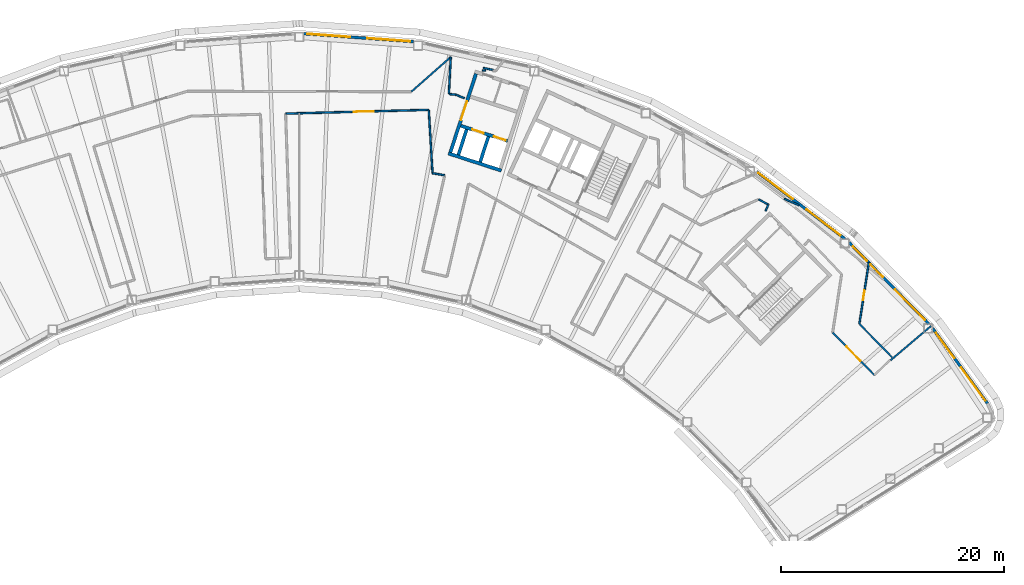
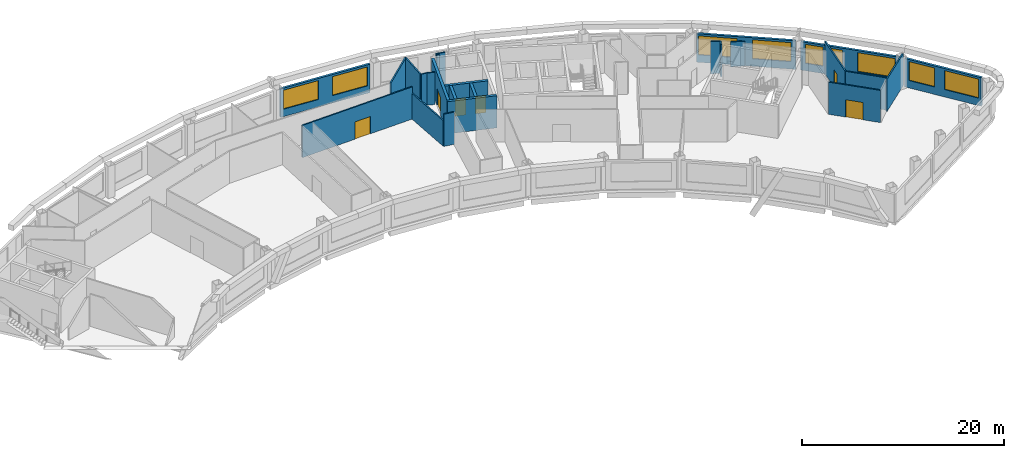
# One storey, part 9 of 13: 25 walls, 9 windows, 6 doors, 15 openings.
"""IFC4 building model written with IfcOpenShell, lengths in metres."""

from ifc_helpers import new_model, si_unit, direction, frame, frame_2d, origin, place, context, subcontext, project, spatial, rectangle, extrude, material, layer, layer_set, type_object, element, fill, save


model = new_model("IFC4")

# Units and contexts
model_context = context("Model", 3, precision=1e-05, world=origin(), true_north=direction((0.0, 1.0)))
body_context = subcontext(model_context, "Body", "Model", "MODEL_VIEW")
ifc_project = project(units=[si_unit("LENGTHUNIT", "METRE"), si_unit("AREAUNIT", "SQUARE_METRE"), si_unit("VOLUMEUNIT", "CUBIC_METRE"), si_unit("PLANEANGLEUNIT", "RADIAN"), si_unit("MASSUNIT", "GRAM", prefix="KILO")], contexts=[model_context])

# Site, building, storey
site_placement = place(None, origin())
site = spatial("IfcSite", under=ifc_project, at=site_placement, CompositionType="ELEMENT")
building_placement = place(site_placement, origin())
building = spatial("IfcBuilding", under=site, at=building_placement, Name="Tuul Gate Civic Tower", CompositionType="ELEMENT")
storey_placement = place(building_placement, frame((0.0, 0.0, 290.0)))
storey = spatial("IfcBuildingStorey", under=building, at=storey_placement, Name="Level 65", CompositionType="ELEMENT", Elevation=290.0)

# Wall
ifc_material_1 = material(Name="Gypsum board partition")
ifc_layer_1 = layer(ifc_material_1, 0.14990234375)
ifc_layer_set_1 = layer_set([ifc_layer_1], Name="Gypsum board partition")
wall_type_1 = type_object("IfcWallType", Name="Corridor wall P150", PredefinedType="PARTITIONING", material=ifc_layer_set_1)
wall_1_placement = place(storey_placement, frame((57.000732421875, -16.493408203125, 0.0), z_axis=(0.0, 0.0, 1.0), x_axis=(0.699996028696, -0.71414673549, 0.0)))
element("IfcWall", 1, at=wall_1_placement, inside=storey, type_object=wall_type_1, Name="p013", PredefinedType="PARTITIONING", context=body_context, shape_type="SweptSolid", body=[
    extrude(rectangle(XDim=4.209716796875, YDim=0.14990234375, at=frame_2d((2.10498046875, 0.0))), origin(), (0.0, 0.0, 1.0), 3.89990234375),
])

# Wall, opening, door
wall_2_placement = place(storey_placement, frame((56.994873046875, -16.4755859375, 0.0), z_axis=(0.0, 0.0, 1.0), x_axis=(0.152318138221, 0.988331515621, 0.0)))
wall_2 = element("IfcWall", 2, at=wall_2_placement, inside=storey, type_object=wall_type_1, Name="p014", PredefinedType="PARTITIONING", context=body_context, shape_type="SweptSolid", body=[
    extrude(rectangle(XDim=5.5537109375, YDim=0.14990234375, at=frame_2d((2.77685546875, 0.0))), origin(), (0.0, 0.0, 1.0), 3.89990234375),
])
opening_1_placement = place(wall_2_placement, frame((2.120361328125, 0.0, 0.0)))
opening_1 = element("IfcOpeningElement", 3, at=opening_1_placement, cuts=wall_2, Name="Opening X-D02", PredefinedType="OPENING", context=body_context, shape_type="SweptSolid", body=[
    extrude(rectangle(XDim=0.89990234375, YDim=2.10009765625, at=frame_2d((0.449951171875, 1.050048828125))), frame((0.0, 0.0849609375, 0.0), z_axis=(0.0, -1.0, 0.0), x_axis=(1.0, 0.0, 0.0)), (0.0, 0.0, 1.0), 0.169921875),
])
ifc_material_2 = material(Name="Timber door leaf", Category="wood")
door_type_1 = type_object("IfcDoorType", Name="Door D09", OperationType="NOTDEFINED", PredefinedType="DOOR", material=ifc_material_2)
door_1_placement = place(opening_1_placement, frame((0.89990234375, 0.0, 0.0), z_axis=(0.0, 0.0, 1.0), x_axis=(-1.0, 0.0, 0.0)))
door_1 = element("IfcDoor", 4, at=door_1_placement, inside=storey, type_object=door_type_1, Name="Door X-D02", OperationType="SINGLE_SWING_LEFT", OverallHeight=2.10009765625, OverallWidth=0.89990234375, PredefinedType="DOOR", context=body_context, shape_type="SweptSolid", body=[
    extrude(rectangle(XDim=0.89990234375, YDim=2.10009765625, at=frame_2d((0.449951171875, 1.050048828125))), frame((0.0, 0.02490234375, 0.0), z_axis=(0.0, -1.0, 0.0), x_axis=(1.0, 0.0, 0.0)), (0.0, 0.0, 1.0), 0.050048828125),
])
fill(opening_1, door_1)

# Walls
wall_3_placement = place(storey_placement, frame((59.793212890625, -19.738037109375, 0.0), z_axis=(0.0, 0.0, 1.0), x_axis=(0.762859034426, 0.646564840982, 0.0)))
element("IfcWall", 5, at=wall_3_placement, inside=storey, type_object=wall_type_1, Name="p016", PredefinedType="PARTITIONING", context=body_context, shape_type="SweptSolid", body=[
    extrude(rectangle(XDim=4.744384765625, YDim=0.14990234375, at=frame_2d((2.3720703125, 0.0))), origin(), (0.0, 0.0, 1.0), 3.89990234375),
])
wall_4_placement = place(storey_placement, frame((23.209716796875, 6.218994140625, 0.0), z_axis=(0.0, 0.0, 1.0), x_axis=(0.999935665258, -0.011343074737, 0.0)))
element("IfcWall", 6, at=wall_4_placement, inside=storey, type_object=wall_type_1, Name="p019", PredefinedType="PARTITIONING", context=body_context, shape_type="SweptSolid", body=[
    extrude(rectangle(XDim=0.27978515625, YDim=0.14990234375, at=frame_2d((0.139892578125, 0.0))), origin(), (0.0, 0.0, 1.0), 3.89990234375),
])
wall_5_placement = place(storey_placement, frame((23.286865234375, 6.456787109375, 0.0), z_axis=(0.0, 0.0, 1.0), x_axis=(0.97872607624, -0.205171313025, 0.0)))
element("IfcWall", 7, at=wall_5_placement, inside=storey, type_object=wall_type_1, Name="p020", PredefinedType="PARTITIONING", context=body_context, shape_type="SweptSolid", body=[
    extrude(rectangle(XDim=0.953125, YDim=0.14990234375, at=frame_2d((0.4765625, 0.0))), origin(), (0.0, 0.0, 1.0), 3.89990234375),
])
wall_6_placement = place(storey_placement, frame((20.83349609375, 4.05419921875, 0.0), z_axis=(0.0, 0.0, 1.0), x_axis=(0.928577985222, -0.371137340296, 0.0)))
element("IfcWall", 8, at=wall_6_placement, inside=storey, type_object=wall_type_1, Name="p021", PredefinedType="PARTITIONING", context=body_context, shape_type="SweptSolid", body=[
    extrude(rectangle(XDim=0.830810546875, YDim=0.14990234375, at=frame_2d((0.41552734375, 0.0))), origin(), (0.0, 0.0, 1.0), 3.89990234375),
])
wall_7_placement = place(storey_placement, frame((20.2255859375, 4.118408203125, 0.0), z_axis=(0.0, 0.0, 1.0), x_axis=(0.994483493788, -0.104893186543, 0.0)))
element("IfcWall", 9, at=wall_7_placement, inside=storey, type_object=wall_type_1, Name="p022", PredefinedType="PARTITIONING", context=body_context, shape_type="SweptSolid", body=[
    extrude(rectangle(XDim=0.60986328125, YDim=0.14990234375, at=frame_2d((0.304931640625, 0.0))), origin(), (0.0, 0.0, 1.0), 3.89990234375),
])
wall_8_placement = place(storey_placement, frame((20.207275390625, 4.139892578125, 0.0), z_axis=(0.0, 0.0, 1.0), x_axis=(0.051209082668, 0.998687954194, 0.0)))
element("IfcWall", 10, at=wall_8_placement, inside=storey, type_object=wall_type_1, Name="p023", PredefinedType="PARTITIONING", context=body_context, shape_type="SweptSolid", body=[
    extrude(rectangle(XDim=3.303955078125, YDim=0.14990234375, at=frame_2d((1.65185546875, 0.0))), origin(), (0.0, 0.0, 1.0), 3.89990234375),
])
wall_9_placement = place(storey_placement, frame((16.83935546875, 4.32421875, 0.0), z_axis=(0.0, 0.0, 1.0), x_axis=(0.750371229567, 0.661016654736, 0.0)))
element("IfcWall", 11, at=wall_9_placement, inside=storey, type_object=wall_type_1, Name="p024", PredefinedType="PARTITIONING", context=body_context, shape_type="SweptSolid", body=[
    extrude(rectangle(XDim=4.713134765625, YDim=0.14990234375, at=frame_2d((2.3564453125, 0.0))), origin(), (0.0, 0.0, 1.0), 3.89990234375),
])

# Wall, opening, door
wall_10_placement = place(storey_placement, frame((54.597900390625, -17.256591796875, 0.0), z_axis=(0.0, 0.0, 1.0), x_axis=(0.700040826875, -0.714102822224, 0.0)))
wall_10 = element("IfcWall", 12, at=wall_10_placement, inside=storey, type_object=wall_type_1, Name="p047", PredefinedType="PARTITIONING", context=body_context, shape_type="SweptSolid", body=[
    extrude(rectangle(XDim=5.347412109375, YDim=0.14990234375, at=frame_2d((2.673828125, 0.0))), origin(), (0.0, 0.0, 1.0), 3.89990234375),
])
opening_2_placement = place(wall_10_placement, frame((1.773681640625, 0.0, 0.0)))
opening_2 = element("IfcOpeningElement", 13, at=opening_2_placement, cuts=wall_10, Name="Opening X-D08", PredefinedType="OPENING", context=body_context, shape_type="SweptSolid", body=[
    extrude(rectangle(XDim=1.800048828125, YDim=2.10009765625, at=frame_2d((0.89990234375, 1.050048828125))), frame((0.0, 0.0849609375, 0.0), z_axis=(0.0, -1.0, 0.0), x_axis=(1.0, 0.0, 0.0)), (0.0, 0.0, 1.0), 0.169921875),
])
ifc_material_3 = material(Name="Timber door leaf, double", Category="wood")
door_type_2 = type_object("IfcDoorType", Name="Door D18", OperationType="DOUBLE_DOOR_SINGLE_SWING", PredefinedType="DOOR", material=ifc_material_3)
door_2_placement = place(opening_2_placement, frame((1.800048828125, 0.0, 0.0), z_axis=(0.0, 0.0, 1.0), x_axis=(-1.0, 0.0, 0.0)))
door_2 = element("IfcDoor", 14, at=door_2_placement, inside=storey, type_object=door_type_2, Name="Door X-D08", OperationType="DOUBLE_DOOR_SINGLE_SWING", OverallHeight=2.10009765625, OverallWidth=1.800048828125, PredefinedType="DOOR", context=body_context, shape_type="SweptSolid", body=[
    extrude(rectangle(XDim=1.800048828125, YDim=2.10009765625, at=frame_2d((0.900146484375, 1.050048828125))), frame((0.0, 0.02490234375, 0.0), z_axis=(0.0, -1.0, 0.0), x_axis=(1.0, 0.0, 0.0)), (0.0, 0.0, 1.0), 0.050048828125),
])
fill(opening_2, door_2)

wall_11_placement = place(storey_placement, frame((5.59375, 2.36328125, 0.0), z_axis=(0.0, 0.0, 1.0), x_axis=(0.99964816432, 0.026524471202, 0.0)))
wall_11 = element("IfcWall", 15, at=wall_11_placement, inside=storey, type_object=wall_type_1, Name="p059", PredefinedType="PARTITIONING", context=body_context, shape_type="SweptSolid", body=[
    extrude(rectangle(XDim=12.7939453125, YDim=0.14990234375, at=frame_2d((6.39697265625, 0.0))), origin(), (0.0, 0.0, 1.0), 3.89990234375),
])
opening_3_placement = place(wall_11_placement, frame((6.09423828125, 0.0, 0.0)))
opening_3 = element("IfcOpeningElement", 16, at=opening_3_placement, cuts=wall_11, Name="Opening X-D10", PredefinedType="OPENING", context=body_context, shape_type="SweptSolid", body=[
    extrude(rectangle(XDim=1.800048828125, YDim=2.10009765625, at=frame_2d((0.89990234375, 1.050048828125))), frame((0.0, 0.0849609375, 0.0), z_axis=(0.0, -1.0, 0.0), x_axis=(1.0, 0.0, 0.0)), (0.0, 0.0, 1.0), 0.169921875),
])
door_3_placement = place(opening_3_placement, frame((1.800048828125, 0.0, 0.0), z_axis=(0.0, 0.0, 1.0), x_axis=(-1.0, 0.0, 0.0)))
door_3 = element("IfcDoor", 17, at=door_3_placement, inside=storey, type_object=door_type_2, Name="Door X-D10", OperationType="DOUBLE_DOOR_SINGLE_SWING", OverallHeight=2.10009765625, OverallWidth=1.800048828125, PredefinedType="DOOR", context=body_context, shape_type="SweptSolid", body=[
    extrude(rectangle(XDim=1.800048828125, YDim=2.10009765625, at=frame_2d((0.900146484375, 1.050048828125))), frame((0.0, 0.02490234375, 0.0), z_axis=(0.0, -1.0, 0.0), x_axis=(1.0, 0.0, 0.0)), (0.0, 0.0, 1.0), 0.050048828125),
])
fill(opening_3, door_3)

# Walls
wall_12_placement = place(storey_placement, frame((18.739990234375, -2.978515625, 0.0), z_axis=(0.0, 0.0, 1.0), x_axis=(0.986082491654, -0.166256788294, 0.0)))
element("IfcWall", 18, at=wall_12_placement, inside=storey, type_object=wall_type_1, Name="p061", PredefinedType="PARTITIONING", context=body_context, shape_type="SweptSolid", body=[
    extrude(rectangle(XDim=1.086669921875, YDim=0.14990234375, at=frame_2d((0.54345703125, 0.0))), origin(), (0.0, 0.0, 1.0), 3.89990234375),
])
wall_13_placement = place(storey_placement, frame((48.58447265625, -6.36181640625, 0.0), z_axis=(0.0, 0.0, 1.0), x_axis=(0.402451637343, 0.915441248579, 0.0)))
element("IfcWall", 19, at=wall_13_placement, inside=storey, type_object=wall_type_1, Name="p101", PredefinedType="PARTITIONING", context=body_context, shape_type="SweptSolid", body=[
    extrude(rectangle(XDim=0.627197265625, YDim=0.14990234375, at=frame_2d((0.3134765625, 0.0))), origin(), (0.0, 0.0, 1.0), 3.89990234375),
])
wall_14_placement = place(storey_placement, frame((47.962890625, -5.3251953125, 0.0), z_axis=(0.0, 0.0, 1.0), x_axis=(0.883920008665, -0.467638127489, 0.0)))
element("IfcWall", 20, at=wall_14_placement, inside=storey, type_object=wall_type_1, Name="p102", PredefinedType="PARTITIONING", context=body_context, shape_type="SweptSolid", body=[
    extrude(rectangle(XDim=0.98876953125, YDim=0.14990234375, at=frame_2d((0.494384765625, 0.0))), origin(), (0.0, 0.0, 1.0), 3.89990234375),
])
ifc_material_4 = material(Name="Gypsum board partition")
ifc_layer_2 = layer(ifc_material_4, 0.14990234375)
ifc_layer_set_2 = layer_set([ifc_layer_2], Name="Gypsum board partition")
wall_type_2 = type_object("IfcWallType", Name="Corridor wall P150 3000 HIGH", PredefinedType="PARTITIONING", material=ifc_layer_set_2)
wall_15_placement = place(storey_placement, frame((50.258544921875, -5.27001953125, 0.0), z_axis=(0.0, 0.0, 1.0), x_axis=(0.915514728056, -0.402284454974, 0.0)))
element("IfcWall", 21, at=wall_15_placement, inside=storey, type_object=wall_type_2, Name="p002", PredefinedType="PARTITIONING", context=body_context, shape_type="SweptSolid", body=[
    extrude(rectangle(XDim=1.44140625, YDim=0.14990234375, at=frame_2d((0.720703125, 0.0))), origin(), (0.0, 0.0, 1.0), 3.0),
])
ifc_material_5 = material(Name="Gypsum board partition")
ifc_layer_3 = layer(ifc_material_5, 0.14990234375)
ifc_layer_set_3 = layer_set([ifc_layer_3], Name="Gypsum board partition")
wall_type_3 = type_object("IfcWallType", Name="Corridor wall P150 3100 HIGH", PredefinedType="PARTITIONING", material=ifc_layer_set_3)
wall_16_placement = place(storey_placement, frame((18.404296875, 2.683349609375, 0.0), z_axis=(0.0, 0.0, 1.0), x_axis=(0.059108134691, -0.99825158573, 0.0)))
element("IfcWall", 22, at=wall_16_placement, inside=storey, type_object=wall_type_3, Name="p060", PredefinedType="PARTITIONING", context=body_context, shape_type="SweptSolid", body=[
    extrude(rectangle(XDim=5.671142578125, YDim=0.14990234375, at=frame_2d((2.83544921875, 0.0))), origin(), (0.0, 0.0, 1.0), 3.10009765625),
])

# Wall, openings, windows
ifc_material_6 = material(Name="Precast concrete C40/50", Category="concrete")
ifc_layer_4 = layer(ifc_material_6, 0.25)
ifc_layer_set_4 = layer_set([ifc_layer_4], Name="Precast concrete C40/50")
wall_type_4 = type_object("IfcWallType", Name="External wall", PredefinedType="STANDARD", material=ifc_layer_set_4)
wall_17_placement = place(storey_placement, frame((68.47802734375, -23.61376953125, 0.0), z_axis=(0.0, 0.0, 1.0), x_axis=(-0.589827901293, 0.807528975862, 0.0)))
wall_17 = element("IfcWall", 23, at=wall_17_placement, inside=storey, type_object=wall_type_4, Name="External wall", PredefinedType="STANDARD", context=body_context, shape_type="SweptSolid", body=[
    extrude(rectangle(XDim=8.337890625, YDim=0.25, at=frame_2d((4.1689453125, 0.0))), origin(), (0.0, 0.0, 1.0), 3.449951171875),
])
opening_4_placement = place(wall_17_placement, frame((0.301025390625, 0.0, 0.89990234375)))
opening_4 = element("IfcOpeningElement", 24, at=opening_4_placement, cuts=wall_17, Name="Opening W21", PredefinedType="OPENING", context=body_context, shape_type="SweptSolid", body=[
    extrude(rectangle(XDim=3.699951171875, YDim=2.300048828125, at=frame_2d((1.85009765625, 1.14990234375))), frame((0.0, 0.135009765625, 0.0), z_axis=(0.0, -1.0, 0.0), x_axis=(1.0, 0.0, 0.0)), (0.0, 0.0, 1.0), 0.27001953125),
])
opening_5_placement = place(wall_17_placement, frame((5.052978515625, 0.0, 0.89990234375)))
opening_5 = element("IfcOpeningElement", 25, at=opening_5_placement, cuts=wall_17, Name="Opening W23", PredefinedType="OPENING", context=body_context, shape_type="SweptSolid", body=[
    extrude(rectangle(XDim=2.800048828125, YDim=2.300048828125, at=frame_2d((1.39990234375, 1.14990234375))), frame((0.0, 0.135009765625, 0.0), z_axis=(0.0, -1.0, 0.0), x_axis=(1.0, 0.0, 0.0)), (0.0, 0.0, 1.0), 0.27001953125),
])
ifc_material_7 = material(Name="Glass", Category="glass")
window_type_1 = type_object("IfcWindowType", Name="Window W21 3700 x 2300", PartitioningType="SINGLE_PANEL", PredefinedType="WINDOW", material=ifc_material_7)
window_1_placement = place(opening_4_placement, origin())
window_1 = element("IfcWindow", 26, at=window_1_placement, inside=storey, type_object=window_type_1, Name="Window", OverallHeight=2.300048828125, OverallWidth=3.699951171875, PartitioningType="SINGLE_PANEL", PredefinedType="WINDOW", context=body_context, shape_type="SweptSolid", body=[
    extrude(rectangle(XDim=3.699951171875, YDim=2.300048828125, at=frame_2d((1.85009765625, 1.14990234375))), frame((0.0, 0.030029296875, 0.0), z_axis=(0.0, -1.0, 0.0), x_axis=(1.0, 0.0, 0.0)), (0.0, 0.0, 1.0), 0.06005859375),
])
fill(opening_4, window_1)
ifc_material_8 = material(Name="Glass", Category="glass")
window_type_2 = type_object("IfcWindowType", Name="Window W23 2800 x 2300", PartitioningType="SINGLE_PANEL", PredefinedType="WINDOW", material=ifc_material_8)
window_2_placement = place(opening_5_placement, origin())
window_2 = element("IfcWindow", 27, at=window_2_placement, inside=storey, type_object=window_type_2, Name="Window", OverallHeight=2.300048828125, OverallWidth=2.800048828125, PartitioningType="SINGLE_PANEL", PredefinedType="WINDOW", context=body_context, shape_type="SweptSolid", body=[
    extrude(rectangle(XDim=2.800048828125, YDim=2.300048828125, at=frame_2d((1.39990234375, 1.14990234375))), frame((0.0, 0.030029296875, 0.0), z_axis=(0.0, -1.0, 0.0), x_axis=(1.0, 0.0, 0.0)), (0.0, 0.0, 1.0), 0.06005859375),
])
fill(opening_5, window_2)

wall_18_placement = place(storey_placement, frame((63.22314453125, -16.48388671875, 0.0), z_axis=(0.0, 0.0, 1.0), x_axis=(-0.700055609081, 0.714088330807, 0.0)))
wall_18 = element("IfcWall", 28, at=wall_18_placement, inside=storey, type_object=wall_type_4, Name="External wall", PredefinedType="STANDARD", context=body_context, shape_type="SweptSolid", body=[
    extrude(rectangle(XDim=10.1953125, YDim=0.25, at=frame_2d((5.09765625, 0.0))), origin(), (0.0, 0.0, 1.0), 3.449951171875),
])
opening_6_placement = place(wall_18_placement, frame((0.48681640625, 0.0, 0.89990234375)))
opening_6 = element("IfcOpeningElement", 29, at=opening_6_placement, cuts=wall_18, Name="Opening W22", PredefinedType="OPENING", context=body_context, shape_type="SweptSolid", body=[
    extrude(rectangle(XDim=3.85009765625, YDim=2.300048828125, at=frame_2d((1.925048828125, 1.14990234375))), frame((0.0, 0.135009765625, 0.0), z_axis=(0.0, -1.0, 0.0), x_axis=(1.0, 0.0, 0.0)), (0.0, 0.0, 1.0), 0.27001953125),
])
opening_7_placement = place(wall_18_placement, frame((5.8759765625, 0.0, 0.89990234375)))
opening_7 = element("IfcOpeningElement", 30, at=opening_7_placement, cuts=wall_18, Name="Opening W28", PredefinedType="OPENING", context=body_context, shape_type="SweptSolid", body=[
    extrude(rectangle(XDim=1.60009765625, YDim=2.300048828125, at=frame_2d((0.800048828125, 1.14990234375))), frame((0.0, 0.135009765625, 0.0), z_axis=(0.0, -1.0, 0.0), x_axis=(1.0, 0.0, 0.0)), (0.0, 0.0, 1.0), 0.27001953125),
])
opening_8_placement = place(wall_18_placement, frame((7.90087890625, 0.0, 0.89990234375)))
opening_8 = element("IfcOpeningElement", 31, at=opening_8_placement, cuts=wall_18, Name="Opening W29", PredefinedType="OPENING", context=body_context, shape_type="SweptSolid", body=[
    extrude(rectangle(XDim=1.800048828125, YDim=2.300048828125, at=frame_2d((0.89990234375, 1.14990234375))), frame((0.0, 0.135009765625, 0.0), z_axis=(0.0, -1.0, 0.0), x_axis=(1.0, 0.0, 0.0)), (0.0, 0.0, 1.0), 0.27001953125),
])
ifc_material_9 = material(Name="Glass", Category="glass")
window_type_3 = type_object("IfcWindowType", Name="Window 1600 x 2300", PartitioningType="SINGLE_PANEL", PredefinedType="WINDOW", material=ifc_material_9)
window_3_placement = place(opening_7_placement, origin())
window_3 = element("IfcWindow", 32, at=window_3_placement, inside=storey, type_object=window_type_3, Name="Window", OverallHeight=2.300048828125, OverallWidth=1.60009765625, PartitioningType="SINGLE_PANEL", PredefinedType="WINDOW", context=body_context, shape_type="SweptSolid", body=[
    extrude(rectangle(XDim=1.60009765625, YDim=2.300048828125, at=frame_2d((0.800048828125, 1.14990234375))), frame((0.0, 0.030029296875, 0.0), z_axis=(0.0, -1.0, 0.0), x_axis=(1.0, 0.0, 0.0)), (0.0, 0.0, 1.0), 0.06005859375),
])
fill(opening_7, window_3)
ifc_material_10 = material(Name="Glass", Category="glass")
window_type_4 = type_object("IfcWindowType", Name="Window 1800 x 2300", PartitioningType="SINGLE_PANEL", PredefinedType="WINDOW", material=ifc_material_10)
window_4_placement = place(opening_8_placement, origin())
window_4 = element("IfcWindow", 33, at=window_4_placement, inside=storey, type_object=window_type_4, Name="Window", OverallHeight=2.300048828125, OverallWidth=1.800048828125, PartitioningType="SINGLE_PANEL", PredefinedType="WINDOW", context=body_context, shape_type="SweptSolid", body=[
    extrude(rectangle(XDim=1.800048828125, YDim=2.300048828125, at=frame_2d((0.89990234375, 1.14990234375))), frame((0.0, 0.030029296875, 0.0), z_axis=(0.0, -1.0, 0.0), x_axis=(1.0, 0.0, 0.0)), (0.0, 0.0, 1.0), 0.06005859375),
])
fill(opening_8, window_4)
ifc_material_11 = material(Name="Glass", Category="glass")
window_type_5 = type_object("IfcWindowType", Name="Window W22 3850 x 2300", PartitioningType="SINGLE_PANEL", PredefinedType="WINDOW", material=ifc_material_11)
window_5_placement = place(opening_6_placement, origin())
window_5 = element("IfcWindow", 34, at=window_5_placement, inside=storey, type_object=window_type_5, Name="Window", OverallHeight=2.300048828125, OverallWidth=3.85009765625, PartitioningType="SINGLE_PANEL", PredefinedType="WINDOW", context=body_context, shape_type="SweptSolid", body=[
    extrude(rectangle(XDim=3.85009765625, YDim=2.300048828125, at=frame_2d((1.925048828125, 1.14990234375))), frame((0.0, 0.030029296875, 0.0), z_axis=(0.0, -1.0, 0.0), x_axis=(1.0, 0.0, 0.0)), (0.0, 0.0, 1.0), 0.06005859375),
])
fill(opening_6, window_5)

wall_19_placement = place(storey_placement, frame((55.6962890625, -8.85888671875, 0.0), z_axis=(0.0, 0.0, 1.0), x_axis=(-0.795618728328, 0.605797688287, 0.0)))
wall_19 = element("IfcWall", 35, at=wall_19_placement, inside=storey, type_object=wall_type_4, Name="External wall", PredefinedType="STANDARD", context=body_context, shape_type="SweptSolid", body=[
    extrude(rectangle(XDim=9.91748046875, YDim=0.25, at=frame_2d((4.958740234375, 0.0))), origin(), (0.0, 0.0, 1.0), 3.449951171875),
])
opening_9_placement = place(wall_19_placement, frame((0.494140625, 0.0, 0.89990234375)))
opening_9 = element("IfcOpeningElement", 36, at=opening_9_placement, cuts=wall_19, Name="Opening W22", PredefinedType="OPENING", context=body_context, shape_type="SweptSolid", body=[
    extrude(rectangle(XDim=3.85009765625, YDim=2.300048828125, at=frame_2d((1.925048828125, 1.14990234375))), frame((0.0, 0.135009765625, 0.0), z_axis=(0.0, -1.0, 0.0), x_axis=(1.0, 0.0, 0.0)), (0.0, 0.0, 1.0), 0.27001953125),
])
opening_10_placement = place(wall_19_placement, frame((5.865478515625, 0.0, 0.89990234375)))
opening_10 = element("IfcOpeningElement", 37, at=opening_10_placement, cuts=wall_19, Name="Opening W22", PredefinedType="OPENING", context=body_context, shape_type="SweptSolid", body=[
    extrude(rectangle(XDim=3.85009765625, YDim=2.300048828125, at=frame_2d((1.925048828125, 1.14990234375))), frame((0.0, 0.135009765625, 0.0), z_axis=(0.0, -1.0, 0.0), x_axis=(1.0, 0.0, 0.0)), (0.0, 0.0, 1.0), 0.27001953125),
])
window_6_placement = place(opening_9_placement, origin())
window_6 = element("IfcWindow", 38, at=window_6_placement, inside=storey, type_object=window_type_5, Name="Window", OverallHeight=2.300048828125, OverallWidth=3.85009765625, PartitioningType="SINGLE_PANEL", PredefinedType="WINDOW", context=body_context, shape_type="SweptSolid", body=[
    extrude(rectangle(XDim=3.85009765625, YDim=2.300048828125, at=frame_2d((1.925048828125, 1.14990234375))), frame((0.0, 0.030029296875, 0.0), z_axis=(0.0, -1.0, 0.0), x_axis=(1.0, 0.0, 0.0)), (0.0, 0.0, 1.0), 0.06005859375),
])
fill(opening_9, window_6)
window_7_placement = place(opening_10_placement, origin())
window_7 = element("IfcWindow", 39, at=window_7_placement, inside=storey, type_object=window_type_5, Name="Window", OverallHeight=2.300048828125, OverallWidth=3.85009765625, PartitioningType="SINGLE_PANEL", PredefinedType="WINDOW", context=body_context, shape_type="SweptSolid", body=[
    extrude(rectangle(XDim=3.85009765625, YDim=2.300048828125, at=frame_2d((1.925048828125, 1.14990234375))), frame((0.0, 0.030029296875, 0.0), z_axis=(0.0, -1.0, 0.0), x_axis=(1.0, 0.0, 0.0)), (0.0, 0.0, 1.0), 0.06005859375),
])
fill(opening_10, window_7)

wall_20_placement = place(storey_placement, frame((17.0380859375, 8.8154296875, 0.0), z_axis=(0.0, 0.0, 1.0), x_axis=(-0.997387687721, 0.072234343517, 0.0)))
wall_20 = element("IfcWall", 40, at=wall_20_placement, inside=storey, type_object=wall_type_4, Name="External wall", PredefinedType="STANDARD", context=body_context, shape_type="SweptSolid", body=[
    extrude(rectangle(XDim=9.8759765625, YDim=0.25, at=frame_2d((4.93798828125, 0.0))), origin(), (0.0, 0.0, 1.0), 3.449951171875),
])
opening_11_placement = place(wall_20_placement, frame((0.3037109375, 0.0, 0.89990234375)))
opening_11 = element("IfcOpeningElement", 41, at=opening_11_placement, cuts=wall_20, Name="Opening W22", PredefinedType="OPENING", context=body_context, shape_type="SweptSolid", body=[
    extrude(rectangle(XDim=3.85009765625, YDim=2.300048828125, at=frame_2d((1.925048828125, 1.14990234375))), frame((0.0, 0.135009765625, 0.0), z_axis=(0.0, -1.0, 0.0), x_axis=(1.0, 0.0, 0.0)), (0.0, 0.0, 1.0), 0.27001953125),
])
opening_12_placement = place(wall_20_placement, frame((5.675048828125, 0.0, 0.89990234375)))
opening_12 = element("IfcOpeningElement", 42, at=opening_12_placement, cuts=wall_20, Name="Opening W22", PredefinedType="OPENING", context=body_context, shape_type="SweptSolid", body=[
    extrude(rectangle(XDim=3.85009765625, YDim=2.300048828125, at=frame_2d((1.925048828125, 1.14990234375))), frame((0.0, 0.135009765625, 0.0), z_axis=(0.0, -1.0, 0.0), x_axis=(1.0, 0.0, 0.0)), (0.0, 0.0, 1.0), 0.27001953125),
])
window_8_placement = place(opening_11_placement, origin())
window_8 = element("IfcWindow", 43, at=window_8_placement, inside=storey, type_object=window_type_5, Name="Window", OverallHeight=2.300048828125, OverallWidth=3.85009765625, PartitioningType="SINGLE_PANEL", PredefinedType="WINDOW", context=body_context, shape_type="SweptSolid", body=[
    extrude(rectangle(XDim=3.85009765625, YDim=2.300048828125, at=frame_2d((1.925048828125, 1.14990234375))), frame((0.0, 0.030029296875, 0.0), z_axis=(0.0, -1.0, 0.0), x_axis=(1.0, 0.0, 0.0)), (0.0, 0.0, 1.0), 0.06005859375),
])
fill(opening_11, window_8)
window_9_placement = place(opening_12_placement, origin())
window_9 = element("IfcWindow", 44, at=window_9_placement, inside=storey, type_object=window_type_5, Name="Window", OverallHeight=2.300048828125, OverallWidth=3.85009765625, PartitioningType="SINGLE_PANEL", PredefinedType="WINDOW", context=body_context, shape_type="SweptSolid", body=[
    extrude(rectangle(XDim=3.85009765625, YDim=2.300048828125, at=frame_2d((1.925048828125, 1.14990234375))), frame((0.0, 0.030029296875, 0.0), z_axis=(0.0, -1.0, 0.0), x_axis=(1.0, 0.0, 0.0)), (0.0, 0.0, 1.0), 0.06005859375),
])
fill(opening_12, window_9)

# Wall
ifc_material_12 = material(Name="Concrete C40/50", Category="concrete")
ifc_layer_5 = layer(ifc_material_12, 0.300048828125)
ifc_layer_set_5 = layer_set([ifc_layer_5], Name="Concrete C40/50")
wall_type_5 = type_object("IfcWallType", Name="Lift shaft wall C40/50", PredefinedType="STANDARD", material=ifc_layer_set_5)
wall_21_placement = place(storey_placement, frame((24.911376953125, -2.746337890625, 0.0), z_axis=(0.0, 0.0, 1.0), x_axis=(-0.951067792613, 0.308982287281, 0.0)))
element("IfcWall", 45, at=wall_21_placement, inside=storey, type_object=wall_type_5, Name="Shaft wall", PredefinedType="STANDARD", context=body_context, shape_type="SweptSolid", body=[
    extrude(rectangle(XDim=5.0, YDim=0.300048828125, at=frame_2d((2.5, 0.0))), origin(), (0.0, 0.0, 1.0), 3.89990234375),
])

# Wall, openings, doors
wall_22_placement = place(storey_placement, frame((25.460693359375, -0.0859375, 0.0), z_axis=(0.0, 0.0, 1.0), x_axis=(-0.951063829732, 0.308994485023, 0.0)))
wall_22 = element("IfcWall", 46, at=wall_22_placement, inside=storey, type_object=wall_type_5, Name="Shaft wall", PredefinedType="STANDARD", context=body_context, shape_type="SweptSolid", body=[
    extrude(rectangle(XDim=4.400146484375, YDim=0.300048828125, at=frame_2d((2.2001953125, 0.0))), origin(), (0.0, 0.0, 1.0), 3.89990234375),
])
opening_13_placement = place(wall_22_placement, frame((0.175048828125, 0.0, 0.0)))
opening_13 = element("IfcOpeningElement", 47, at=opening_13_placement, cuts=wall_22, Name="Opening LD-H2", PredefinedType="OPENING", context=body_context, shape_type="SweptSolid", body=[
    extrude(rectangle(XDim=1.10009765625, YDim=2.10009765625, at=frame_2d((0.550048828125, 1.050048828125))), frame((0.0, 0.16015625, 0.0), z_axis=(0.0, -1.0, 0.0), x_axis=(1.0, 0.0, 0.0)), (0.0, 0.0, 1.0), 0.320068359375),
])
opening_14_placement = place(wall_22_placement, frame((2.22509765625, 0.0, 0.0)))
opening_14 = element("IfcOpeningElement", 48, at=opening_14_placement, cuts=wall_22, Name="Opening LD-H3", PredefinedType="OPENING", context=body_context, shape_type="SweptSolid", body=[
    extrude(rectangle(XDim=1.10009765625, YDim=2.10009765625, at=frame_2d((0.550048828125, 1.050048828125))), frame((0.0, 0.16015625, 0.0), z_axis=(0.0, -1.0, 0.0), x_axis=(1.0, 0.0, 0.0)), (0.0, 0.0, 1.0), 0.320068359375),
])
ifc_material_13 = material(Name="Stainless steel", Category="steel")
door_type_3 = type_object("IfcDoorType", Name="Landing door", OperationType="DOUBLE_DOOR_SLIDING", PredefinedType="DOOR", material=ifc_material_13)
door_4_placement = place(opening_13_placement, origin())
door_4 = element("IfcDoor", 49, at=door_4_placement, inside=storey, type_object=door_type_3, Name="High-rise lift H2 landing door", OperationType="DOUBLE_DOOR_SLIDING", OverallHeight=2.10009765625, OverallWidth=1.10009765625, PredefinedType="DOOR", context=body_context, shape_type="SweptSolid", body=[
    extrude(rectangle(XDim=1.10009765625, YDim=2.10009765625, at=frame_2d((0.550048828125, 1.050048828125))), frame((0.0, 0.02490234375, 0.0), z_axis=(0.0, -1.0, 0.0), x_axis=(1.0, 0.0, 0.0)), (0.0, 0.0, 1.0), 0.050048828125),
])
fill(opening_13, door_4)
door_5_placement = place(opening_14_placement, origin())
door_5 = element("IfcDoor", 50, at=door_5_placement, inside=storey, type_object=door_type_3, Name="High-rise lift H3 landing door", OperationType="DOUBLE_DOOR_SLIDING", OverallHeight=2.10009765625, OverallWidth=1.10009765625, PredefinedType="DOOR", context=body_context, shape_type="SweptSolid", body=[
    extrude(rectangle(XDim=1.10009765625, YDim=2.10009765625, at=frame_2d((0.550048828125, 1.050048828125))), frame((0.0, 0.02490234375, 0.0), z_axis=(0.0, -1.0, 0.0), x_axis=(1.0, 0.0, 0.0)), (0.0, 0.0, 1.0), 0.050048828125),
])
fill(opening_14, door_5)

# Walls
for number, where, z_axis, x_axis, name in (
    (51, (23.008056640625, -1.97021484375, 0.0), (0.0, 0.0, 1.0), (0.309138975195, 0.951016873675, 0.0), "Shaft wall"),
    (52, (21.058349609375, -1.336669921875, 0.0), (0.0, 0.0, 1.0), (0.309138975195, 0.951016873675, 0.0), "Shaft wall"),
):
    element("IfcWall", number, at=place(storey_placement, frame(where, z_axis=z_axis, x_axis=x_axis)), inside=storey, type_object=wall_type_5, Name=name, PredefinedType="STANDARD", context=body_context, shape_type="SweptSolid", body=[
        extrude(rectangle(XDim=2.400146484375, YDim=0.300048828125, at=frame_2d((1.2001953125, 0.0))), origin(), (0.0, 0.0, 1.0), 3.89990234375),
    ])

# Wall, opening, door
wall_23_placement = place(storey_placement, frame((20.34521484375, -1.10498046875, 0.0), z_axis=(0.0, 0.0, 1.0), x_axis=(0.30907264409, 0.951038432807, 0.0)))
wall_23 = element("IfcWall", 53, at=wall_23_placement, inside=storey, type_object=wall_type_5, Name="Shaft wall", PredefinedType="STANDARD", context=body_context, shape_type="SweptSolid", body=[
    extrude(rectangle(XDim=7.39990234375, YDim=0.300048828125, at=frame_2d((3.699951171875, 0.0))), origin(), (0.0, 0.0, 1.0), 3.89990234375),
])
opening_15_placement = place(wall_23_placement, frame((3.02490234375, 0.0, 0.0)))
opening_15 = element("IfcOpeningElement", 54, at=opening_15_placement, cuts=wall_23, Name="Opening LB-E4-LOBBY-1", PredefinedType="OPENING", context=body_context, shape_type="SweptSolid", body=[
    extrude(rectangle(XDim=1.800048828125, YDim=2.10009765625, at=frame_2d((0.89990234375, 1.050048828125))), frame((0.0, 0.16015625, 0.0), z_axis=(0.0, -1.0, 0.0), x_axis=(1.0, 0.0, 0.0)), (0.0, 0.0, 1.0), 0.320068359375),
])
ifc_material_14 = material(Name="Steel", Category="steel")
door_type_4 = type_object("IfcDoorType", Name="Lobby door", OperationType="DOUBLE_DOOR_SINGLE_SWING", PredefinedType="DOOR", material=ifc_material_14)
door_6_placement = place(opening_15_placement, frame((1.800048828125, 0.0, 0.0), z_axis=(0.0, 0.0, 1.0), x_axis=(-1.0, 0.0, 0.0)))
door_6 = element("IfcDoor", 55, at=door_6_placement, inside=storey, type_object=door_type_4, Name="Lobby door E4-LOBBY", OperationType="DOUBLE_DOOR_SINGLE_SWING", OverallHeight=2.10009765625, OverallWidth=1.800048828125, PredefinedType="DOOR", context=body_context, shape_type="SweptSolid", body=[
    extrude(rectangle(XDim=1.800048828125, YDim=2.10009765625, at=frame_2d((0.900146484375, 1.050048828125))), frame((0.0, 0.02490234375, 0.0), z_axis=(0.0, -1.0, 0.0), x_axis=(1.0, 0.0, 0.0)), (0.0, 0.0, 1.0), 0.050048828125),
])
fill(opening_15, door_6)

save(model, "model.ifc")
